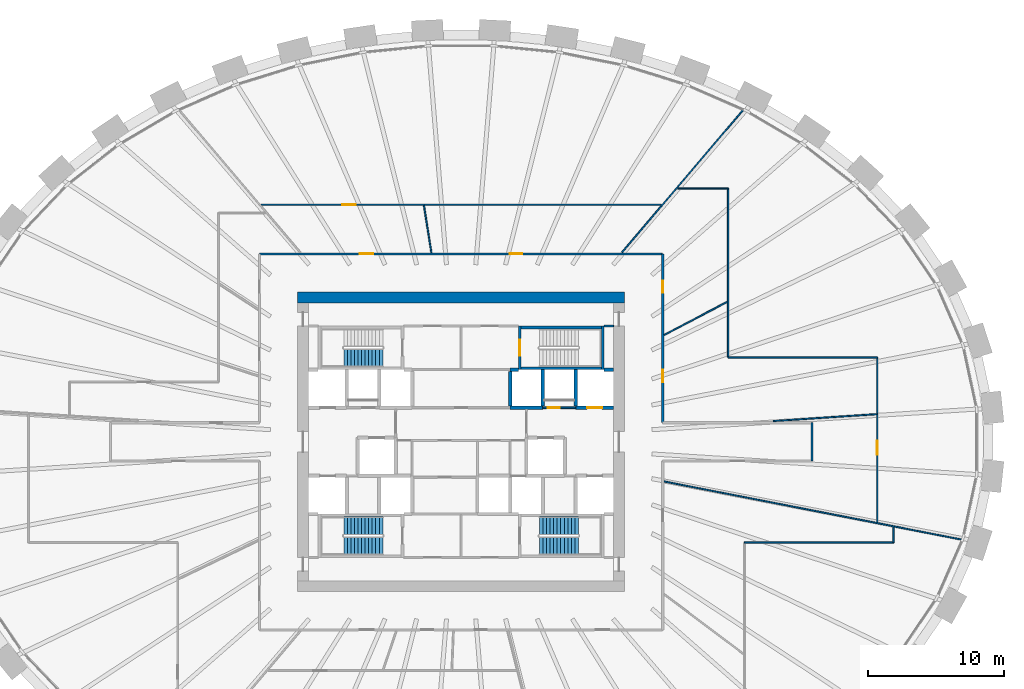
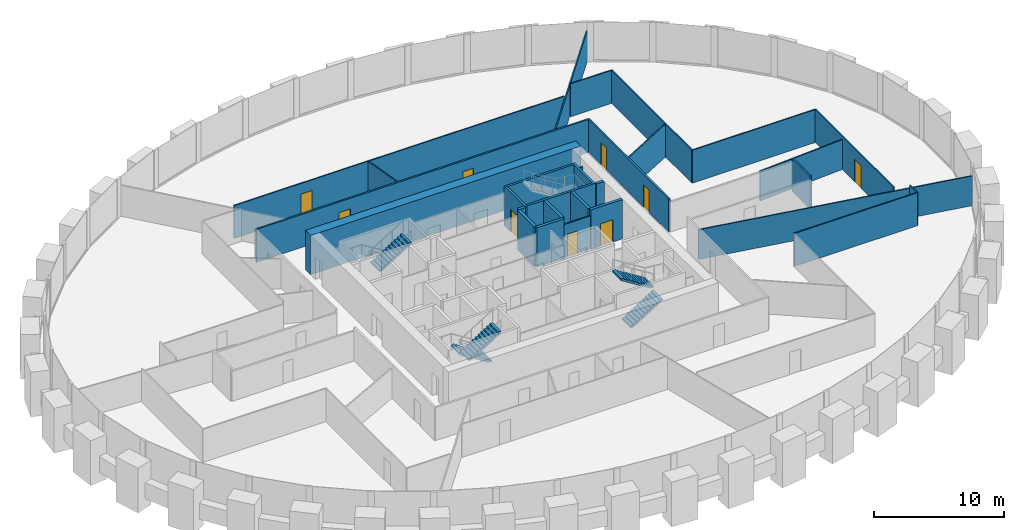
# One storey, part 9 of 11: 29 walls, 9 doors, 5 stair flights, 9 openings, 3 elements without a shape of their own.
"""IFC4 building model written with IfcOpenShell, lengths in metres."""

from ifc_helpers import new_model, si_unit, direction, frame, frame_2d, origin, place, context, subcontext, project, spatial, polyline, rectangle, outline, extrude, source, transform, mapped, material, layer, layer_set, type_object, element, fill, aggregate, save


model = new_model("IFC4")

# Units and contexts
model_context = context("Model", 3, precision=1e-05, world=origin(), true_north=direction((0.0, 1.0)))
body_context = subcontext(model_context, "Body", "Model", "MODEL_VIEW")
ifc_project = project(units=[si_unit("LENGTHUNIT", "METRE"), si_unit("AREAUNIT", "SQUARE_METRE"), si_unit("VOLUMEUNIT", "CUBIC_METRE"), si_unit("PLANEANGLEUNIT", "RADIAN"), si_unit("MASSUNIT", "GRAM", prefix="KILO")], contexts=[model_context])

# Site, building, storey
site_placement = place(None, origin())
site = spatial("IfcSite", under=ifc_project, at=site_placement, CompositionType="ELEMENT")
building_placement = place(site_placement, origin())
building = spatial("IfcBuilding", under=site, at=building_placement, Name="Embergate Tower", CompositionType="ELEMENT")
storey_placement = place(building_placement, frame((0.0, 0.0, 132.0)))
storey = spatial("IfcBuildingStorey", under=building, at=storey_placement, Name="L28", CompositionType="ELEMENT", Elevation=132.0)

# Walls
ifc_material_1 = material(Name="Concrete C70", Category="concrete")
ifc_layer_1 = layer(ifc_material_1, 0.800048828125)
ifc_layer_set_1 = layer_set([ifc_layer_1], Name="Concrete C70")
wall_type_1 = type_object("IfcWallType", Name="Core outer wall C70 800", PredefinedType="SHEAR", material=ifc_layer_set_1)
shared_shape_1 = source(origin(), body_context, "Body", "SweptSolid", [
    extrude(rectangle(XDim=24.0, YDim=0.800048828125, at=frame_2d((12.0, 0.0))), origin(), (0.0, 0.0, 1.0), 3.699951171875),
])
wall_1_placement = place(storey_placement, frame((-12.0, 10.60009765625, 0.0), z_axis=(0.0, 0.0, 1.0), x_axis=(1.0, 0.0, 0.0)))
element("IfcWall", 1, at=wall_1_placement, inside=storey, type_object=wall_type_1, Name="CW-L28-N", PredefinedType="SHEAR", context=body_context, shape_type="MappedRepresentation", body=[
    mapped(shared_shape_1, transform((0.0, 0.0, 0.0))),
])
ifc_material_2 = material(Name="Concrete C50", Category="concrete")
ifc_layer_2 = layer(ifc_material_2, 0.25)
ifc_layer_set_2 = layer_set([ifc_layer_2], Name="Concrete C50")
wall_type_2 = type_object("IfcWallType", Name="Hoistway wall reinforced concrete 250", PredefinedType="SHEAR", material=ifc_layer_set_2)
shared_shape_2 = source(origin(), body_context, "Body", "SweptSolid", [
    extrude(rectangle(XDim=2.675048828125, YDim=0.25, at=frame_2d((1.33740234375, 0.0))), origin(), (0.0, 0.0, 1.0), 3.699951171875),
])
for number, where, z_axis, x_axis, name in (
    (2, (6.0, 2.625, 0.0), (0.0, 0.0, 1.0), (0.0, 1.0, 0.0), "HW-1 wall"),
    (3, (8.39990234375, 2.625, 0.0), (0.0, 0.0, 1.0), (0.0, 1.0, 0.0), "HW-1 wall"),
):
    element("IfcWall", number, at=place(storey_placement, frame(where, z_axis=z_axis, x_axis=x_axis)), inside=storey, type_object=wall_type_2, Name=name, PredefinedType="SHEAR", context=body_context, shape_type="MappedRepresentation", body=[
        mapped(shared_shape_2, transform((0.0, 0.0, 0.0))),
    ])
ifc_layer_3 = layer(ifc_material_2, 0.199951171875)
ifc_layer_set_3 = layer_set([ifc_layer_3], Name="Concrete C50")
wall_type_3 = type_object("IfcWallType", Name="Stair enclosure wall reinforced concrete 250", PredefinedType="SHEAR", material=ifc_layer_set_3)
shared_shape_3 = source(origin(), body_context, "Body", "SweptSolid", [
    extrude(rectangle(XDim=6.300048828125, YDim=0.199951171875, at=frame_2d((3.14990234375, 0.0))), origin(), (0.0, 0.0, 1.0), 3.699951171875),
])
for number, where, z_axis, x_axis, name in (
    (4, (10.5, 5.39990234375, 0.0), (0.0, 0.0, 1.0), (-1.0, 0.0, 0.0), "SE-1 wall"),
    (5, (10.5, 8.39990234375, 0.0), (0.0, 0.0, 1.0), (-1.0, 0.0, 0.0), "SE-1 wall"),
):
    element("IfcWall", number, at=place(storey_placement, frame(where, z_axis=z_axis, x_axis=x_axis)), inside=storey, type_object=wall_type_3, Name=name, PredefinedType="SHEAR", context=body_context, shape_type="MappedRepresentation", body=[
        mapped(shared_shape_3, transform((0.0, 0.0, 0.0))),
    ])
shared_shape_4 = source(origin(), body_context, "Body", "SweptSolid", [
    extrude(rectangle(XDim=2.550048828125, YDim=0.25, at=frame_2d((1.27490234375, 0.0))), origin(), (0.0, 0.0, 1.0), 3.699951171875),
])
wall_2_placement = place(storey_placement, frame((3.60009765625, 5.175048828125, 0.0), z_axis=(0.0, 0.0, 1.0), x_axis=(0.0, -1.0, 0.0)))
element("IfcWall", 6, at=wall_2_placement, inside=storey, type_object=wall_type_2, Name="HW-1 wall", PredefinedType="SHEAR", context=body_context, shape_type="MappedRepresentation", body=[
    mapped(shared_shape_4, transform((0.0, 0.0, 0.0))),
])

# Wall, opening, door
shared_shape_5 = source(origin(), body_context, "Body", "SweptSolid", [
    extrude(rectangle(XDim=3.199951171875, YDim=0.199951171875, at=frame_2d((1.60009765625, 0.0))), origin(), (0.0, 0.0, 1.0), 3.699951171875),
])
wall_3_placement = place(storey_placement, frame((4.300048828125, 8.5, 0.0), z_axis=(0.0, 0.0, 1.0), x_axis=(0.0, -1.0, 0.0)))
wall_3 = element("IfcWall", 7, at=wall_3_placement, inside=storey, type_object=wall_type_3, Name="SE-1 wall", PredefinedType="SHEAR", context=body_context, shape_type="MappedRepresentation", body=[
    mapped(shared_shape_5, transform((0.0, 0.0, 0.0))),
])
shared_shape_6 = source(origin(), body_context, "Body", "SweptSolid", [
    extrude(rectangle(XDim=1.199951171875, YDim=2.10009765625, at=frame_2d((0.60009765625, 1.050048828125))), frame((0.0, 0.10986328125, 0.0), z_axis=(0.0, -1.0, 0.0), x_axis=(1.0, 0.0, 0.0)), (0.0, 0.0, 1.0), 0.219970703125),
])
opening_1_placement = place(wall_3_placement, frame((1.0, 0.0, 0.0)))
opening_1 = element("IfcOpeningElement", 8, at=opening_1_placement, cuts=wall_3, Name="Opening IF-2", PredefinedType="OPENING", context=body_context, shape_type="MappedRepresentation", body=[
    mapped(shared_shape_6, transform((0.0, 0.0, 0.0))),
])
ifc_material_3 = material(Name="Stair enclosure door 1200")
door_type_1 = type_object("IfcDoorType", Name="Stair enclosure door 1200", OperationType="SINGLE_SWING_LEFT", PredefinedType="DOOR", material=ifc_material_3)
shared_shape_7 = source(origin(), body_context, "Body", "SweptSolid", [
    extrude(rectangle(XDim=1.199951171875, YDim=2.10009765625, at=frame_2d((0.60009765625, 1.050048828125))), frame((0.0, 0.02490234375, 0.0), z_axis=(0.0, -1.0, 0.0), x_axis=(1.0, 0.0, 0.0)), (0.0, 0.0, 1.0), 0.050048828125),
])
door_1_placement = place(opening_1_placement, origin())
door_1 = element("IfcDoor", 9, at=door_1_placement, inside=storey, type_object=door_type_1, Name="IF-2 door", OperationType="SINGLE_SWING_RIGHT", OverallHeight=2.10009765625, OverallWidth=1.199951171875, PredefinedType="DOOR", context=body_context, shape_type="MappedRepresentation", body=[
    mapped(shared_shape_7, transform((0.0, 0.0, 0.0))),
])
fill(opening_1, door_1)

# Wall
shared_shape_8 = source(origin(), body_context, "Body", "SweptSolid", [
    extrude(rectangle(XDim=2.39990234375, YDim=0.25, at=frame_2d((1.199951171875, 0.0))), origin(), (0.0, 0.0, 1.0), 3.699951171875),
])
wall_4_placement = place(storey_placement, frame((3.60009765625, 2.5, 0.0), z_axis=(0.0, 0.0, 1.0), x_axis=(1.0, 0.0, 0.0)))
element("IfcWall", 10, at=wall_4_placement, inside=storey, type_object=wall_type_2, Name="HW-1 wall", PredefinedType="SHEAR", context=body_context, shape_type="MappedRepresentation", body=[
    mapped(shared_shape_8, transform((0.0, 0.0, 0.0))),
])

# Wall, openings, doors
ifc_material_4 = material(Name="Corridor wall dry-lined 150")
ifc_layer_4 = layer(ifc_material_4, 0.14990234375)
ifc_layer_set_4 = layer_set([ifc_layer_4], Name="Corridor wall dry-lined 150")
wall_type_4 = type_object("IfcWallType", Name="Corridor wall dry-lined 150", PredefinedType="PARTITIONING", material=ifc_layer_set_4)
shared_shape_9 = source(origin(), body_context, "Body", "SweptSolid", [
    extrude(rectangle(XDim=29.60009765625, YDim=0.14990234375, at=frame_2d((14.800048828125, 0.0))), origin(), (0.0, 0.0, 1.0), 3.10009765625),
])
wall_5_placement = place(storey_placement, frame((-14.800048828125, 13.800048828125, 0.0), z_axis=(0.0, 0.0, 1.0), x_axis=(1.0, 0.0, 0.0)))
wall_5 = element("IfcWall", 11, at=wall_5_placement, inside=storey, type_object=wall_type_4, Name="IP-2 wall", PredefinedType="PARTITIONING", context=body_context, shape_type="MappedRepresentation", body=[
    mapped(shared_shape_9, transform((0.0, 0.0, 0.0))),
])
shared_shape_10 = source(origin(), body_context, "Body", "SweptSolid", [
    extrude(rectangle(XDim=0.89990234375, YDim=2.10009765625, at=frame_2d((0.449951171875, 1.050048828125))), frame((0.0, 0.0849609375, 0.0), z_axis=(0.0, -1.0, 0.0), x_axis=(1.0, 0.0, 0.0)), (0.0, 0.0, 1.0), 0.169921875),
])
opening_2_placement = place(wall_5_placement, frame((18.382080078125, 0.0, 0.0)))
opening_2 = element("IfcOpeningElement", 12, at=opening_2_placement, cuts=wall_5, Name="Opening IF-1c", PredefinedType="OPENING", context=body_context, shape_type="MappedRepresentation", body=[
    mapped(shared_shape_10, transform((0.0, 0.0, 0.0))),
])
shared_shape_11 = source(origin(), body_context, "Body", "SweptSolid", [
    extrude(rectangle(XDim=1.0, YDim=2.10009765625, at=frame_2d((0.5, 1.050048828125))), frame((0.0, 0.0849609375, 0.0), z_axis=(0.0, -1.0, 0.0), x_axis=(1.0, 0.0, 0.0)), (0.0, 0.0, 1.0), 0.169921875),
])
opening_3_placement = place(wall_5_placement, frame((7.35302734375, 0.0, 0.0)))
opening_3 = element("IfcOpeningElement", 13, at=opening_3_placement, cuts=wall_5, Name="Opening ID-2", PredefinedType="OPENING", context=body_context, shape_type="MappedRepresentation", body=[
    mapped(shared_shape_11, transform((0.0, 0.0, 0.0))),
])
ifc_material_5 = material(Name="Escape fire door 900")
door_type_2 = type_object("IfcDoorType", Name="Escape fire door 900", OperationType="SINGLE_SWING_LEFT", PredefinedType="DOOR", material=ifc_material_5)
shared_shape_12 = source(origin(), body_context, "Body", "SweptSolid", [
    extrude(rectangle(XDim=0.89990234375, YDim=2.10009765625, at=frame_2d((0.449951171875, 1.050048828125))), frame((0.0, 0.02490234375, 0.0), z_axis=(0.0, -1.0, 0.0), x_axis=(1.0, 0.0, 0.0)), (0.0, 0.0, 1.0), 0.050048828125),
])
door_2_placement = place(opening_2_placement, origin())
door_2 = element("IfcDoor", 14, at=door_2_placement, inside=storey, type_object=door_type_2, Name="IF-1 door", OperationType="SINGLE_SWING_RIGHT", OverallHeight=2.10009765625, OverallWidth=0.89990234375, PredefinedType="DOOR", context=body_context, shape_type="MappedRepresentation", body=[
    mapped(shared_shape_12, transform((0.0, 0.0, 0.0))),
])
fill(opening_2, door_2)
ifc_material_6 = material(Name="Interior door 1000")
door_type_3 = type_object("IfcDoorType", Name="Interior door 1000", OperationType="SINGLE_SWING_LEFT", PredefinedType="DOOR", material=ifc_material_6)
shared_shape_13 = source(origin(), body_context, "Body", "SweptSolid", [
    extrude(rectangle(XDim=1.0, YDim=2.10009765625, at=frame_2d((0.5, 1.050048828125))), frame((0.0, 0.02490234375, 0.0), z_axis=(0.0, -1.0, 0.0), x_axis=(1.0, 0.0, 0.0)), (0.0, 0.0, 1.0), 0.050048828125),
])
door_3_placement = place(opening_3_placement, origin())
door_3 = element("IfcDoor", 15, at=door_3_placement, inside=storey, type_object=door_type_3, Name="ID-2 door", OperationType="SINGLE_SWING_LEFT", OverallHeight=2.10009765625, OverallWidth=1.0, PredefinedType="DOOR", context=body_context, shape_type="MappedRepresentation", body=[
    mapped(shared_shape_13, transform((0.0, 0.0, 0.0))),
])
fill(opening_3, door_3)

shared_shape_14 = source(origin(), body_context, "Body", "SweptSolid", [
    extrude(rectangle(XDim=12.400146484375, YDim=0.14990234375, at=frame_2d((6.2001953125, 0.0))), origin(), (0.0, 0.0, 1.0), 3.10009765625),
])
wall_6_placement = place(storey_placement, frame((14.800048828125, 1.39990234375, 0.0), z_axis=(0.0, 0.0, 1.0), x_axis=(0.0, 1.0, 0.0)))
wall_6 = element("IfcWall", 16, at=wall_6_placement, inside=storey, type_object=wall_type_4, Name="IP-2 wall", PredefinedType="PARTITIONING", context=body_context, shape_type="MappedRepresentation", body=[
    mapped(shared_shape_14, transform((0.0, 0.0, 0.0))),
])
opening_4_placement = place(wall_6_placement, frame((2.989990234375, 0.0, 0.0)))
opening_4 = element("IfcOpeningElement", 17, at=opening_4_placement, cuts=wall_6, Name="Opening IF-1c", PredefinedType="OPENING", context=body_context, shape_type="MappedRepresentation", body=[
    mapped(shared_shape_10, transform((0.0, 0.0, 0.0))),
])
opening_5_placement = place(wall_6_placement, frame((9.530029296875, 0.0, 0.0)))
opening_5 = element("IfcOpeningElement", 18, at=opening_5_placement, cuts=wall_6, Name="Opening IF-1c", PredefinedType="OPENING", context=body_context, shape_type="MappedRepresentation", body=[
    mapped(shared_shape_10, transform((0.0, 0.0, 0.0))),
])
door_4_placement = place(opening_4_placement, origin())
door_4 = element("IfcDoor", 19, at=door_4_placement, inside=storey, type_object=door_type_2, Name="IF-1 door", OperationType="SINGLE_SWING_RIGHT", OverallHeight=2.10009765625, OverallWidth=0.89990234375, PredefinedType="DOOR", context=body_context, shape_type="MappedRepresentation", body=[
    mapped(shared_shape_12, transform((0.0, 0.0, 0.0))),
])
fill(opening_4, door_4)
door_5_placement = place(opening_5_placement, origin())
door_5 = element("IfcDoor", 20, at=door_5_placement, inside=storey, type_object=door_type_2, Name="IF-1 door", OperationType="SINGLE_SWING_RIGHT", OverallHeight=2.10009765625, OverallWidth=0.89990234375, PredefinedType="DOOR", context=body_context, shape_type="MappedRepresentation", body=[
    mapped(shared_shape_12, transform((0.0, 0.0, 0.0))),
])
fill(opening_5, door_5)

# Walls
shared_shape_15 = source(origin(), body_context, "Body", "SweptSolid", [
    extrude(rectangle(XDim=2.7998046875, YDim=0.14990234375, at=frame_2d((1.39990234375, 0.0))), origin(), (0.0, 0.0, 1.0), 3.10009765625),
])
wall_7_placement = place(storey_placement, frame((25.75, -1.39990234375, 0.0), z_axis=(0.0, 0.0, 1.0), x_axis=(0.0, 1.0, 0.0)))
element("IfcWall", 21, at=wall_7_placement, inside=storey, type_object=wall_type_4, Name="IP-2 wall", PredefinedType="PARTITIONING", context=body_context, shape_type="MappedRepresentation", body=[
    mapped(shared_shape_15, transform((0.0, 0.0, 0.0))),
])
ifc_material_7 = material(Name="Partition dry-lined 100")
ifc_layer_5 = layer(ifc_material_7, 0.10009765625)
ifc_layer_set_5 = layer_set([ifc_layer_5], Name="Partition dry-lined 100")
wall_type_5 = type_object("IfcWallType", Name="Partition dry-lined 100", PredefinedType="PARTITIONING", material=ifc_layer_set_5)
shared_shape_16 = source(origin(), body_context, "Body", "SweptSolid", [
    extrude(rectangle(XDim=13.751953125, YDim=0.10009765625, at=frame_2d((6.8759765625, 0.0))), origin(), (0.0, 0.0, 1.0), 2.89990234375),
])
wall_8_placement = place(storey_placement, frame((11.81396484375, 13.906982421875, 0.0), z_axis=(0.0, 0.0, 1.0), x_axis=(0.647406181073, 0.762145154618, 0.0)))
element("IfcWall", 22, at=wall_8_placement, inside=storey, type_object=wall_type_5, Name="IP-1 wall", PredefinedType="PARTITIONING", context=body_context, shape_type="MappedRepresentation", body=[
    mapped(shared_shape_16, transform((0.0, 0.0, 0.0))),
])
shared_shape_17 = source(origin(), body_context, "Body", "SweptSolid", [
    extrude(rectangle(XDim=12.400146484375, YDim=0.10009765625, at=frame_2d((6.2001953125, 0.0))), origin(), (0.0, 0.0, 1.0), 3.10009765625),
])
wall_9_placement = place(storey_placement, frame((19.60009765625, 18.60009765625, 0.0), z_axis=(0.0, 0.0, 1.0), x_axis=(0.0, -1.0, 0.0)))
element("IfcWall", 23, at=wall_9_placement, inside=storey, type_object=wall_type_5, Name="IP-1 wall", PredefinedType="PARTITIONING", context=body_context, shape_type="MappedRepresentation", body=[
    mapped(shared_shape_17, transform((0.0, 0.0, 0.0))),
])
shared_shape_18 = source(origin(), body_context, "Body", "SweptSolid", [
    extrude(rectangle(XDim=1.135009765625, YDim=0.10009765625, at=frame_2d((0.5673828125, 0.0))), origin(), (0.0, 0.0, 1.0), 3.10009765625),
])
wall_10_placement = place(storey_placement, frame((31.75, -6.264892578125, 0.0), z_axis=(0.0, 0.0, 1.0), x_axis=(0.0, -1.0, 0.0)))
element("IfcWall", 24, at=wall_10_placement, inside=storey, type_object=wall_type_5, Name="IP-1 wall", PredefinedType="PARTITIONING", context=body_context, shape_type="MappedRepresentation", body=[
    mapped(shared_shape_18, transform((0.0, 0.0, 0.0))),
])
shared_shape_19 = source(origin(), body_context, "Body", "SweptSolid", [
    extrude(rectangle(XDim=10.949951171875, YDim=0.10009765625, at=frame_2d((5.47509765625, 0.0))), origin(), (0.0, 0.0, 1.0), 3.10009765625),
])
for number, where, z_axis, x_axis, name in (
    (25, (31.75, -7.39990234375, 0.0), (0.0, 0.0, 1.0), (-1.0, 0.0, 0.0), "IP-1 wall"),
    (26, (19.60009765625, 6.199951171875, 0.0), (0.0, 0.0, 1.0), (1.0, 0.0, 0.0), "IP-1 wall"),
):
    element("IfcWall", number, at=place(storey_placement, frame(where, z_axis=z_axis, x_axis=x_axis)), inside=storey, type_object=wall_type_5, Name=name, PredefinedType="PARTITIONING", context=body_context, shape_type="MappedRepresentation", body=[
        mapped(shared_shape_19, transform((0.0, 0.0, 0.0))),
    ])
shared_shape_20 = source(origin(), body_context, "Body", "SweptSolid", [
    extrude(rectangle(XDim=22.31396484375, YDim=0.10009765625, at=frame_2d((11.156982421875, 0.0))), origin(), (0.0, 0.0, 1.0), 2.800048828125),
])
wall_11_placement = place(storey_placement, frame((36.784912109375, -7.18798828125, 0.0), z_axis=(0.0, 0.0, 1.0), x_axis=(-0.981440850514, 0.191765108771, 0.0)))
element("IfcWall", 27, at=wall_11_placement, inside=storey, type_object=wall_type_5, Name="IP-1 wall", PredefinedType="PARTITIONING", context=body_context, shape_type="MappedRepresentation", body=[
    mapped(shared_shape_20, transform((0.0, 0.0, 0.0))),
])
shared_shape_21 = source(origin(), body_context, "Body", "SweptSolid", [
    extrude(rectangle(XDim=7.60693359375, YDim=0.10009765625, at=frame_2d((3.803466796875, 0.0))), origin(), (0.0, 0.0, 1.0), 2.800048828125),
])
wall_12_placement = place(storey_placement, frame((30.5, 2.030029296875, 0.0), z_axis=(0.0, 0.0, 1.0), x_axis=(-0.997792819876, -0.066403980325, 0.0)))
element("IfcWall", 28, at=wall_12_placement, inside=storey, type_object=wall_type_5, Name="IP-1 wall", PredefinedType="PARTITIONING", context=body_context, shape_type="MappedRepresentation", body=[
    mapped(shared_shape_21, transform((0.0, 0.0, 0.0))),
])

# Wall, opening, door
shared_shape_22 = source(origin(), body_context, "Body", "SweptSolid", [
    extrude(rectangle(XDim=12.10888671875, YDim=0.10009765625, at=frame_2d((6.054443359375, 0.0))), origin(), (0.0, 0.0, 1.0), 3.10009765625),
])
wall_13_placement = place(storey_placement, frame((30.550048828125, 6.199951171875, 0.0), z_axis=(0.0, 0.0, 1.0), x_axis=(0.0, -1.0, 0.0)))
wall_13 = element("IfcWall", 29, at=wall_13_placement, inside=storey, type_object=wall_type_5, Name="IP-1 wall", PredefinedType="PARTITIONING", context=body_context, shape_type="MappedRepresentation", body=[
    mapped(shared_shape_22, transform((0.0, 0.0, 0.0))),
])
shared_shape_23 = source(origin(), body_context, "Body", "SweptSolid", [
    extrude(rectangle(XDim=1.0, YDim=2.10009765625, at=frame_2d((0.5, 1.050048828125))), frame((0.0, 0.06005859375, 0.0), z_axis=(0.0, -1.0, 0.0), x_axis=(1.0, 0.0, 0.0)), (0.0, 0.0, 1.0), 0.1201171875),
])
opening_6_placement = place(wall_13_placement, frame((6.131103515625, 0.0, 0.0)))
opening_6 = element("IfcOpeningElement", 30, at=opening_6_placement, cuts=wall_13, Name="Opening ID-2", PredefinedType="OPENING", context=body_context, shape_type="MappedRepresentation", body=[
    mapped(shared_shape_23, transform((0.0, 0.0, 0.0))),
])
door_6_placement = place(opening_6_placement, origin())
door_6 = element("IfcDoor", 31, at=door_6_placement, inside=storey, type_object=door_type_3, Name="ID-2 door", OperationType="SINGLE_SWING_RIGHT", OverallHeight=2.10009765625, OverallWidth=1.0, PredefinedType="DOOR", context=body_context, shape_type="MappedRepresentation", body=[
    mapped(shared_shape_13, transform((0.0, 0.0, 0.0))),
])
fill(opening_6, door_6)

# Walls
shared_shape_24 = source(origin(), body_context, "Body", "SweptSolid", [
    extrude(rectangle(XDim=5.22998046875, YDim=0.10009765625, at=frame_2d((2.614990234375, 0.0))), origin(), (0.0, 0.0, 1.0), 3.10009765625),
])
wall_14_placement = place(storey_placement, frame((14.89794921875, 7.837890625, 0.0), z_axis=(0.0, 0.0, 1.0), x_axis=(0.885100419457, 0.465400093981, 0.0)))
element("IfcWall", 32, at=wall_14_placement, inside=storey, type_object=wall_type_5, Name="IP-1 wall", PredefinedType="PARTITIONING", context=body_context, shape_type="MappedRepresentation", body=[
    mapped(shared_shape_24, transform((0.0, 0.0, 0.0))),
])
shared_shape_25 = source(origin(), body_context, "Body", "SweptSolid", [
    extrude(rectangle(XDim=3.691162109375, YDim=0.10009765625, at=frame_2d((1.845703125, 0.0))), origin(), (0.0, 0.0, 1.0), 3.10009765625),
])
wall_15_placement = place(storey_placement, frame((15.908935546875, 18.60009765625, 0.0), z_axis=(0.0, 0.0, 1.0), x_axis=(1.0, 0.0, 0.0)))
element("IfcWall", 33, at=wall_15_placement, inside=storey, type_object=wall_type_5, Name="IP-1 wall", PredefinedType="PARTITIONING", context=body_context, shape_type="MappedRepresentation", body=[
    mapped(shared_shape_25, transform((0.0, 0.0, 0.0))),
])
shared_shape_26 = source(origin(), body_context, "Body", "SweptSolid", [
    extrude(rectangle(XDim=3.501708984375, YDim=0.10009765625, at=frame_2d((1.7509765625, 0.0))), origin(), (0.0, 0.0, 1.0), 3.10009765625),
])
wall_16_placement = place(storey_placement, frame((-2.72900390625, 17.342041015625, 0.0), z_axis=(0.0, 0.0, 1.0), x_axis=(0.155618854848, -0.9878171754, 0.0)))
element("IfcWall", 34, at=wall_16_placement, inside=storey, type_object=wall_type_5, Name="IP-1 wall", PredefinedType="PARTITIONING", context=body_context, shape_type="MappedRepresentation", body=[
    mapped(shared_shape_26, transform((0.0, 0.0, 0.0))),
])

# Wall, opening, door
shared_shape_27 = source(origin(), body_context, "Body", "SweptSolid", [
    extrude(rectangle(XDim=29.34619140625, YDim=0.10009765625, at=frame_2d((14.673095703125, 0.0))), origin(), (0.0, 0.0, 1.0), 3.10009765625),
])
wall_17_placement = place(storey_placement, frame((-14.673095703125, 17.39990234375, 0.0), z_axis=(0.0, 0.0, 1.0), x_axis=(1.0, 0.0, 0.0)))
wall_17 = element("IfcWall", 35, at=wall_17_placement, inside=storey, type_object=wall_type_5, Name="IP-1 wall", PredefinedType="PARTITIONING", context=body_context, shape_type="MappedRepresentation", body=[
    mapped(shared_shape_27, transform((0.0, 0.0, 0.0))),
])
opening_7_placement = place(wall_17_placement, frame((5.935791015625, 0.0, 0.0)))
opening_7 = element("IfcOpeningElement", 36, at=opening_7_placement, cuts=wall_17, Name="Opening ID-2", PredefinedType="OPENING", context=body_context, shape_type="MappedRepresentation", body=[
    mapped(shared_shape_23, transform((0.0, 0.0, 0.0))),
])
door_7_placement = place(opening_7_placement, origin())
door_7 = element("IfcDoor", 37, at=door_7_placement, inside=storey, type_object=door_type_3, Name="ID-2 door", OperationType="SINGLE_SWING_LEFT", OverallHeight=2.10009765625, OverallWidth=1.0, PredefinedType="DOOR", context=body_context, shape_type="MappedRepresentation", body=[
    mapped(shared_shape_13, transform((0.0, 0.0, 0.0))),
])
fill(opening_7, door_7)

shared_shape_28 = source(origin(), body_context, "Body", "SweptSolid", [
    extrude(rectangle(XDim=2.800048828125, YDim=0.25, at=frame_2d((1.39990234375, 0.0))), origin(), (0.0, 0.0, 1.0), 3.699951171875),
])
wall_18_placement = place(storey_placement, frame((8.39990234375, 2.5, 0.0), z_axis=(0.0, 0.0, 1.0), x_axis=(1.0, 0.0, 0.0)))
wall_18 = element("IfcWall", 38, at=wall_18_placement, inside=storey, type_object=wall_type_2, Name="HW-1 wall", PredefinedType="SHEAR", context=body_context, shape_type="MappedRepresentation", body=[
    mapped(shared_shape_28, transform((0.0, 0.0, 0.0))),
])
shared_shape_29 = source(origin(), body_context, "Body", "SweptSolid", [
    extrude(rectangle(XDim=1.10009765625, YDim=2.10009765625, at=frame_2d((0.550048828125, 1.050048828125))), frame((0.0, 0.135009765625, 0.0), z_axis=(0.0, -1.0, 0.0), x_axis=(1.0, 0.0, 0.0)), (0.0, 0.0, 1.0), 0.27001953125),
])
opening_8_placement = place(wall_18_placement, frame((0.85009765625, 0.0, 0.0)))
opening_8 = element("IfcOpeningElement", 39, at=opening_8_placement, cuts=wall_18, Name="Opening LD", PredefinedType="OPENING", context=body_context, shape_type="MappedRepresentation", body=[
    mapped(shared_shape_29, transform((0.0, 0.0, 0.0))),
])
ifc_material_8 = material(Name="Landing door sliding 1100")
door_type_4 = type_object("IfcDoorType", Name="Landing door sliding 1100", OperationType="SLIDING_TO_LEFT", PredefinedType="DOOR", material=ifc_material_8)
shared_shape_30 = source(origin(), body_context, "Body", "SweptSolid", [
    extrude(rectangle(XDim=1.10009765625, YDim=2.10009765625, at=frame_2d((0.550048828125, 1.050048828125))), frame((0.0, 0.02490234375, 0.0), z_axis=(0.0, -1.0, 0.0), x_axis=(1.0, 0.0, 0.0)), (0.0, 0.0, 1.0), 0.050048828125),
])
door_8_placement = place(opening_8_placement, origin())
door_8 = element("IfcDoor", 40, at=door_8_placement, inside=storey, type_object=door_type_4, Name="LD door", OperationType="SLIDING_TO_RIGHT", OverallHeight=2.10009765625, OverallWidth=1.10009765625, PredefinedType="DOOR", context=body_context, shape_type="MappedRepresentation", body=[
    mapped(shared_shape_30, transform((0.0, 0.0, 0.0))),
])
fill(opening_8, door_8)

ifc_material_9 = material(Name="Core partition blockwork 120")
ifc_layer_6 = layer(ifc_material_9, 0.1201171875)
ifc_layer_set_6 = layer_set([ifc_layer_6], Name="Core partition blockwork 120")
wall_type_6 = type_object("IfcWallType", Name="Core partition blockwork 120", PredefinedType="PARTITIONING", material=ifc_layer_set_6)
shared_shape_31 = source(origin(), body_context, "Body", "SweptSolid", [
    extrude(rectangle(XDim=2.39990234375, YDim=0.1201171875, at=frame_2d((1.199951171875, 0.0))), origin(), (0.0, 0.0, 1.0), 3.10009765625),
])
wall_19_placement = place(storey_placement, frame((6.0, 2.5, 0.0), z_axis=(0.0, 0.0, 1.0), x_axis=(1.0, 0.0, 0.0)))
wall_19 = element("IfcWall", 41, at=wall_19_placement, inside=storey, type_object=wall_type_6, Name="IP-3 wall", PredefinedType="PARTITIONING", context=body_context, shape_type="MappedRepresentation", body=[
    mapped(shared_shape_31, transform((0.0, 0.0, 0.0))),
])
shared_shape_32 = source(origin(), body_context, "Body", "SweptSolid", [
    extrude(rectangle(XDim=0.89990234375, YDim=2.10009765625, at=frame_2d((0.449951171875, 1.050048828125))), frame((0.0, 0.070068359375, 0.0), z_axis=(0.0, -1.0, 0.0), x_axis=(1.0, 0.0, 0.0)), (0.0, 0.0, 1.0), 0.14013671875),
])
opening_9_placement = place(wall_19_placement, frame((0.35009765625, 0.0, 0.0)))
opening_9 = element("IfcOpeningElement", 42, at=opening_9_placement, cuts=wall_19, Name="Opening ID-1", PredefinedType="OPENING", context=body_context, shape_type="MappedRepresentation", body=[
    mapped(shared_shape_32, transform((0.0, 0.0, 0.0))),
])
ifc_material_10 = material(Name="Interior door 900")
door_type_5 = type_object("IfcDoorType", Name="Interior door 900", OperationType="SINGLE_SWING_LEFT", PredefinedType="DOOR", material=ifc_material_10)
door_9_placement = place(opening_9_placement, origin())
door_9 = element("IfcDoor", 43, at=door_9_placement, inside=storey, type_object=door_type_5, Name="ID-1 door", OperationType="SINGLE_SWING_LEFT", OverallHeight=2.10009765625, OverallWidth=0.89990234375, PredefinedType="DOOR", context=body_context, shape_type="MappedRepresentation", body=[
    mapped(shared_shape_12, transform((0.0, 0.0, 0.0))),
])
fill(opening_9, door_9)

# Walls
shared_shape_33 = source(origin(), body_context, "Body", "SweptSolid", [
    extrude(rectangle(XDim=0.599853515625, YDim=0.25, at=frame_2d((0.2998046875, 0.0))), origin(), (0.0, 0.0, 1.0), 3.699951171875),
])
wall_20_placement = place(storey_placement, frame((4.199951171875, 5.300048828125, 0.0), z_axis=(0.0, 0.0, 1.0), x_axis=(-1.0, 0.0, 0.0)))
element("IfcWall", 44, at=wall_20_placement, inside=storey, type_object=wall_type_2, Name="HW-1 wall", PredefinedType="SHEAR", context=body_context, shape_type="MappedRepresentation", body=[
    mapped(shared_shape_33, transform((0.0, 0.0, 0.0))),
])
shared_shape_34 = source(origin(), body_context, "Body", "SweptSolid", [
    extrude(rectangle(XDim=3.196044921875, YDim=0.199951171875, at=frame_2d((1.59814453125, 0.0))), origin(), (0.0, 0.0, 1.0), 3.699951171875),
])
wall_21_placement = place(storey_placement, frame((10.39990234375, 5.302001953125, 0.0), z_axis=(0.0, 0.0, 1.0), x_axis=(0.0, 1.0, 0.0)))
element("IfcWall", 45, at=wall_21_placement, inside=storey, type_object=wall_type_3, Name="SE-1 wall", PredefinedType="SHEAR", context=body_context, shape_type="MappedRepresentation", body=[
    mapped(shared_shape_34, transform((0.0, 0.0, 0.0))),
])
shared_shape_35 = source(origin(), body_context, "Body", "SweptSolid", [
    extrude(rectangle(XDim=0.697998046875, YDim=0.25, at=frame_2d((0.34912109375, 0.0))), origin(), (0.0, 0.0, 1.0), 3.699951171875),
])
wall_22_placement = place(storey_placement, frame((11.199951171875, 5.300048828125, 0.0), z_axis=(0.0, 0.0, 1.0), x_axis=(-1.0, 0.0, 0.0)))
element("IfcWall", 46, at=wall_22_placement, inside=storey, type_object=wall_type_2, Name="HW-1 wall", PredefinedType="SHEAR", context=body_context, shape_type="MappedRepresentation", body=[
    mapped(shared_shape_35, transform((0.0, 0.0, 0.0))),
])
shared_shape_36 = source(origin(), body_context, "Body", "SweptSolid", [
    extrude(rectangle(XDim=0.697998046875, YDim=0.1201171875, at=frame_2d((0.34912109375, 0.0))), origin(), (0.0, 0.0, 1.0), 3.10009765625),
])
wall_23_placement = place(storey_placement, frame((10.501953125, 8.5, 0.0), z_axis=(0.0, 0.0, 1.0), x_axis=(1.0, 0.0, 0.0)))
element("IfcWall", 47, at=wall_23_placement, inside=storey, type_object=wall_type_6, Name="IP-3 wall", PredefinedType="PARTITIONING", context=body_context, shape_type="MappedRepresentation", body=[
    mapped(shared_shape_36, transform((0.0, 0.0, 0.0))),
])

# Stair, stair flight
ifc_material_11 = material(Name="Exit stair")
stair_type = type_object("IfcStairType", Name="Exit stair", PredefinedType="HALF_TURN_STAIR", material=ifc_material_11)
stair_1_placement = place(storey_placement, origin())
stair_1 = element("IfcStair", 48, at=stair_1_placement, inside=storey, type_object=stair_type, Name="L28 Exit stair 1", PredefinedType="HALF_TURN_STAIR")
ifc_material_12 = material(Name="Concrete C40", Category="concrete")
stair_flight_type = type_object("IfcStairFlightType", Name="Stair flight reinforced concrete", PredefinedType="STRAIGHT", material=ifc_material_12)
shared_shape_37 = source(origin(), body_context, "Body", "SweptSolid", [
    extrude(outline(polyline([(0.0, 0.0), (0.0, 0.16259765625), (0.260009765625, 0.16259765625), (0.260009765625, 0.324951171875), (0.52001953125, 0.324951171875), (0.52001953125, 0.487548828125), (0.780029296875, 0.487548828125), (0.780029296875, 0.64990234375), (1.0400390625, 0.64990234375), (1.0400390625, 0.8125), (1.300048828125, 0.8125), (1.300048828125, 0.97509765625), (1.56005859375, 0.97509765625), (1.56005859375, 1.137451171875), (1.820068359375, 1.137451171875), (1.820068359375, 1.300048828125), (2.080078125, 1.300048828125), (2.080078125, 1.46240234375), (2.340087890625, 1.46240234375), (2.340087890625, 1.625), (2.60009765625, 1.625), (2.60009765625, 1.78759765625), (2.860107421875, 1.78759765625), (2.860107421875, 1.949951171875), (2.860107421875, 1.61083984375), (0.28271484375, 0.0), (0.0, 0.0)])), frame((0.0, 0.675048828125, 0.0), z_axis=(0.0, -1.0, 0.0), x_axis=(1.0, 0.0, 0.0)), (0.0, 0.0, 1.0), 1.35009765625),
])
stair_flight_1_placement = place(storey_placement, frame((-8.610107421875, 6.175048828125, 1.949951171875), z_axis=(0.0, 0.0, 1.0), x_axis=(1.0, 0.0, 0.0)))
stair_flight_1 = element("IfcStairFlight", 49, at=stair_flight_1_placement, type_object=stair_flight_type, Name="ST1 flight 2", NumberOfRisers=12, NumberOfTreads=11, PredefinedType="STRAIGHT", RiserHeight=0.1625, TreadLength=0.26, context=body_context, shape_type="MappedRepresentation", body=[
    mapped(shared_shape_37, transform((0.0, 0.0, 0.0))),
])
aggregate(stair_1, [stair_flight_1])

# Stair, stair flights
stair_2_placement = place(storey_placement, origin())
stair_2 = element("IfcStair", 50, at=stair_2_placement, inside=storey, type_object=stair_type, Name="L28 Exit stair 3", PredefinedType="HALF_TURN_STAIR")
stair_flight_2_placement = place(storey_placement, frame((-5.75, -6.175048828125, 0.0), z_axis=(0.0, 0.0, 1.0), x_axis=(-1.0, 0.0, 0.0)))
stair_flight_2 = element("IfcStairFlight", 51, at=stair_flight_2_placement, type_object=stair_flight_type, Name="ST3 flight 1", NumberOfRisers=12, NumberOfTreads=11, PredefinedType="STRAIGHT", RiserHeight=0.1625, TreadLength=0.26, context=body_context, shape_type="MappedRepresentation", body=[
    mapped(shared_shape_37, transform((0.0, 0.0, 0.0))),
])
stair_flight_3_placement = place(storey_placement, frame((-8.610107421875, -7.625, 1.949951171875), z_axis=(0.0, 0.0, 1.0), x_axis=(1.0, 0.0, 0.0)))
stair_flight_3 = element("IfcStairFlight", 52, at=stair_flight_3_placement, type_object=stair_flight_type, Name="ST3 flight 2", NumberOfRisers=12, NumberOfTreads=11, PredefinedType="STRAIGHT", RiserHeight=0.1625, TreadLength=0.26, context=body_context, shape_type="MappedRepresentation", body=[
    mapped(shared_shape_37, transform((0.0, 0.0, 0.0))),
])
aggregate(stair_2, [stair_flight_2, stair_flight_3])

stair_3_placement = place(storey_placement, origin())
stair_3 = element("IfcStair", 53, at=stair_3_placement, inside=storey, type_object=stair_type, Name="L28 Exit stair 4", PredefinedType="HALF_TURN_STAIR")
stair_flight_4_placement = place(storey_placement, frame((5.75, -7.625, 0.0), z_axis=(0.0, 0.0, 1.0), x_axis=(1.0, 0.0, 0.0)))
stair_flight_4 = element("IfcStairFlight", 54, at=stair_flight_4_placement, type_object=stair_flight_type, Name="ST4 flight 1", NumberOfRisers=12, NumberOfTreads=11, PredefinedType="STRAIGHT", RiserHeight=0.1625, TreadLength=0.26, context=body_context, shape_type="MappedRepresentation", body=[
    mapped(shared_shape_37, transform((0.0, 0.0, 0.0))),
])
stair_flight_5_placement = place(storey_placement, frame((8.610107421875, -6.175048828125, 1.949951171875), z_axis=(0.0, 0.0, 1.0), x_axis=(-1.0, 0.0, 0.0)))
stair_flight_5 = element("IfcStairFlight", 55, at=stair_flight_5_placement, type_object=stair_flight_type, Name="ST4 flight 2", NumberOfRisers=12, NumberOfTreads=11, PredefinedType="STRAIGHT", RiserHeight=0.1625, TreadLength=0.26, context=body_context, shape_type="MappedRepresentation", body=[
    mapped(shared_shape_37, transform((0.0, 0.0, 0.0))),
])
aggregate(stair_3, [stair_flight_4, stair_flight_5])

save(model, "model.ifc")
